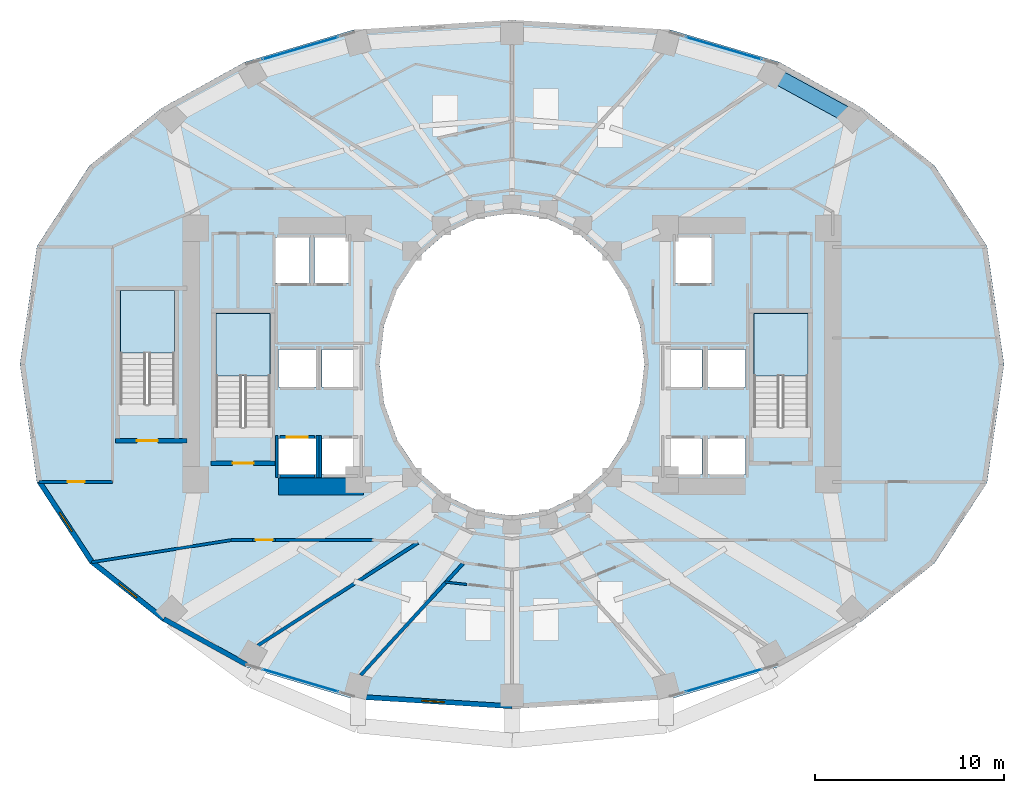
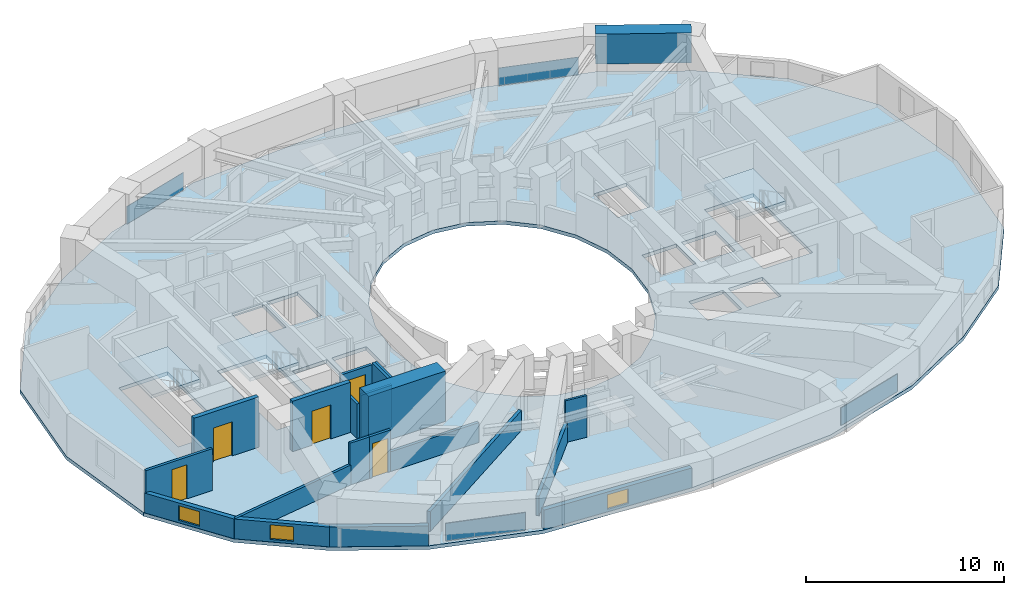
# One storey, part 9 of 17: 20 walls, 5 doors, 4 plates, 4 slabs, 3 windows, 1 beam, 8 openings, 7 elements without a shape of their own.
"""IFC4 building model written with IfcOpenShell, lengths in metres."""

from ifc_helpers import new_model, si_unit, direction, frame, frame_2d, origin, origin_2d, place, context, subcontext, project, spatial, polyline, rectangle, outline, extrude, material, layer, layer_set, material_profile, profile_set, type_object, element, fill, aggregate, save


model = new_model("IFC4")

# Units and contexts
model_context = context("Model", 3, precision=1e-05, world=origin(), true_north=direction((0.0, 1.0)))
body_context = subcontext(model_context, "Body", "Model", "MODEL_VIEW")
ifc_project = project(units=[si_unit("LENGTHUNIT", "METRE"), si_unit("AREAUNIT", "SQUARE_METRE"), si_unit("VOLUMEUNIT", "CUBIC_METRE"), si_unit("PLANEANGLEUNIT", "RADIAN"), si_unit("MASSUNIT", "GRAM", prefix="KILO")], contexts=[model_context])

# Site, building, storey
site_placement = place(None, origin())
site = spatial("IfcSite", under=ifc_project, at=site_placement, CompositionType="ELEMENT")
building_placement = place(site_placement, origin())
building = spatial("IfcBuilding", under=site, at=building_placement, Name="Solvane Sanctuary Tower", CompositionType="ELEMENT")
storey_placement = place(building_placement, frame((0.0, 0.0, 52.39990234375)))
storey = spatial("IfcBuildingStorey", under=building, at=storey_placement, Name="L15", CompositionType="ELEMENT", Elevation=52.39990234375)

# Beam
ifc_material_1 = material(Name="Concrete C70/85", Category="concrete")
ifc_material_profile = material_profile(ifc_material_1, rectangle(XDim=0.800048828125, YDim=1.85009765625, at=origin_2d()), Name="RC800X1850")
ifc_profile_set = profile_set([ifc_material_profile], Name="Concrete C70/85")
beam_type = type_object("IfcBeamType", Name="Beam B-XFER-BLK RC800X1850", PredefinedType="BEAM", material=ifc_profile_set)
beam_placement = place(storey_placement, frame((45.727294921875, 38.359375, 2.175048828125), z_axis=(0.878074180076, -0.478524538853, 0.0), x_axis=(0.478524538853, 0.878074180076, 0.0)))
element("IfcBeam", 1, at=beam_placement, inside=storey, type_object=beam_type, Name="L15 Perimeter Step Transfer Ring NTC02-NTC01", PredefinedType="BEAM", context=body_context, shape_type="SweptSolid", body=[
    extrude(rectangle(XDim=0.800048828125, YDim=1.85009765625, at=origin_2d()), origin(), (0.0, 0.0, 1.0), 4.8564453125),
])

# Curtain wall, plate
ifc_material_2 = material(Name="Anodised Aluminium 6063-T6", Category="aluminium")
ifc_layer_1 = layer(ifc_material_2, 0.169921875, Name="Anodised Aluminium 6063-T6")
ifc_layer_set_1 = layer_set([ifc_layer_1], Name="Anodised Aluminium 6063-T6")
curtain_wall_type = type_object("IfcCurtainWallType", Name="Curtain Wall CW-FRIT-Z1", PredefinedType="NOTDEFINED", material=ifc_layer_set_1)
curtain_wall_1_placement = place(storey_placement, origin())
curtain_wall_1 = element("IfcCurtainWall", 2, at=curtain_wall_1_placement, inside=storey, type_object=curtain_wall_type, Name="L15 CW-FRIT-Z1 Facade Run 04", PredefinedType="NOTDEFINED")
ifc_material_3 = material(Name="Dark Ceramic-Fritted Low-E Glass", Category="glass")
ifc_layer_2 = layer(ifc_material_3, 0.031982421875, Name="Dark Ceramic-Fritted Low-E Glass")
ifc_layer_set_2 = layer_set([ifc_layer_2], Name="Dark Ceramic-Fritted Low-E Glass")
plate_type = type_object("IfcPlateType", Name="Plate PN-FRIT-VIS", PredefinedType="CURTAIN_PANEL", material=ifc_layer_set_2)
plate_1_placement = place(storey_placement, frame((43.18701171875, 39.70751953125, 0.06494140625), z_axis=(0.0, 0.0, 1.0), x_axis=(-0.958843218866, 0.283936052018, 0.0)))
plate_1 = element("IfcPlate", 3, at=plate_1_placement, type_object=plate_type, Name="CW-FRIT-Z1 panel 1.1", PredefinedType="CURTAIN_PANEL", context=body_context, shape_type="SweptSolid", body=[
    extrude(rectangle(XDim=4.16552734375, YDim=0.031982421875, at=origin_2d()), origin(), (0.0, 0.0, 1.0), 1.090087890625),
])
aggregate(curtain_wall_1, [plate_1])

curtain_wall_2_placement = place(storey_placement, origin())
curtain_wall_2 = element("IfcCurtainWall", 4, at=curtain_wall_2_placement, inside=storey, type_object=curtain_wall_type, Name="L15 CW-FRIT-Z1 Facade Run 07", PredefinedType="NOTDEFINED")
plate_2_placement = place(storey_placement, frame((20.81298828125, 39.70751953125, 0.06494140625), z_axis=(0.0, 0.0, 1.0), x_axis=(-0.958843218866, -0.283936052018, 0.0)))
plate_2 = element("IfcPlate", 5, at=plate_2_placement, type_object=plate_type, Name="CW-FRIT-Z1 panel 1.1", PredefinedType="CURTAIN_PANEL", context=body_context, shape_type="SweptSolid", body=[
    extrude(rectangle(XDim=4.16552734375, YDim=0.031982421875, at=origin_2d()), origin(), (0.0, 0.0, 1.0), 1.090087890625),
])
aggregate(curtain_wall_2, [plate_2])

curtain_wall_3_placement = place(storey_placement, origin())
curtain_wall_3 = element("IfcCurtainWall", 6, at=curtain_wall_3_placement, inside=storey, type_object=curtain_wall_type, Name="L15 CW-FRIT-Z1 Facade Run 16", PredefinedType="NOTDEFINED")
plate_3_placement = place(storey_placement, frame((20.81298828125, 6.29248046875, 0.06494140625), z_axis=(0.0, 0.0, 1.0), x_axis=(0.958843218866, -0.283936052018, 0.0)))
plate_3 = element("IfcPlate", 7, at=plate_3_placement, type_object=plate_type, Name="CW-FRIT-Z1 panel 1.1", PredefinedType="CURTAIN_PANEL", context=body_context, shape_type="SweptSolid", body=[
    extrude(rectangle(XDim=4.16552734375, YDim=0.031982421875, at=origin_2d()), origin(), (0.0, 0.0, 1.0), 1.090087890625),
])
aggregate(curtain_wall_3, [plate_3])

curtain_wall_4_placement = place(storey_placement, origin())
curtain_wall_4 = element("IfcCurtainWall", 8, at=curtain_wall_4_placement, inside=storey, type_object=curtain_wall_type, Name="L15 CW-FRIT-Z1 Facade Run 19", PredefinedType="NOTDEFINED")
plate_4_placement = place(storey_placement, frame((43.18701171875, 6.29248046875, 0.06494140625), z_axis=(0.0, 0.0, 1.0), x_axis=(0.958843218866, 0.283936052018, 0.0)))
plate_4 = element("IfcPlate", 9, at=plate_4_placement, type_object=plate_type, Name="CW-FRIT-Z1 panel 1.1", PredefinedType="CURTAIN_PANEL", context=body_context, shape_type="SweptSolid", body=[
    extrude(rectangle(XDim=4.16552734375, YDim=0.031982421875, at=origin_2d()), origin(), (0.0, 0.0, 1.0), 1.090087890625),
])
aggregate(curtain_wall_4, [plate_4])

# Stair, slab
ifc_material_4 = material(Name="Concrete C45/55", Category="concrete")
stair_type = type_object("IfcStairType", Name="Stair ST-TOW", PredefinedType="HALF_TURN_STAIR", material=ifc_material_4)
stair_1_placement = place(storey_placement, origin())
stair_1 = element("IfcStair", 10, at=stair_1_placement, inside=storey, type_object=stair_type, Name="L15 Exit Stair ST-1 West Core", PredefinedType="HALF_TURN_STAIR")
ifc_layer_3 = layer(ifc_material_4, 0.199951171875, Name="Concrete C45/55")
ifc_layer_set_3 = layer_set([ifc_layer_3], Name="Concrete C45/55")
slab_type_1 = type_object("IfcSlabType", Name="Slab SL-LAND-180", PredefinedType="LANDING", material=ifc_layer_set_3)
slab_1_placement = place(storey_placement, frame((0.0, 0.0, 1.35009765625)))
slab_1 = element("IfcSlab", 11, at=slab_1_placement, type_object=slab_type_1, Name="ST-1 landing 1", PredefinedType="LANDING", context=body_context, shape_type="SweptSolid", body=[
    extrude(outline(polyline([(19.219970703125, 22.39990234375), (19.219970703125, 25.699951171875), (16.360107421875, 25.699951171875), (16.360107421875, 22.39990234375), (19.219970703125, 22.39990234375)])), origin(), (0.0, 0.0, 1.0), 0.199951171875),
])
aggregate(stair_1, [slab_1])

stair_2_placement = place(storey_placement, origin())
stair_2 = element("IfcStair", 12, at=stair_2_placement, inside=storey, type_object=stair_type, Name="L15 Exit Stair ST-2 East Core", PredefinedType="HALF_TURN_STAIR")
slab_2_placement = place(storey_placement, frame((0.0, 0.0, 1.35009765625)))
slab_2 = element("IfcSlab", 13, at=slab_2_placement, type_object=slab_type_1, Name="ST-2 landing 1", PredefinedType="LANDING", context=body_context, shape_type="SweptSolid", body=[
    extrude(outline(polyline([(47.639892578125, 22.39990234375), (47.639892578125, 25.699951171875), (44.780029296875, 25.699951171875), (44.780029296875, 22.39990234375), (47.639892578125, 22.39990234375)])), origin(), (0.0, 0.0, 1.0), 0.199951171875),
])
aggregate(stair_2, [slab_2])

stair_3_placement = place(storey_placement, origin())
stair_3 = element("IfcStair", 14, at=stair_3_placement, inside=storey, type_object=stair_type, Name="L15 Exit Stair ST-3 Pilgrim Tower Stair", PredefinedType="HALF_TURN_STAIR")
slab_3_placement = place(storey_placement, frame((0.0, 0.0, 1.35009765625)))
slab_3 = element("IfcSlab", 15, at=slab_3_placement, type_object=slab_type_1, Name="ST-3 landing 1", PredefinedType="LANDING", context=body_context, shape_type="SweptSolid", body=[
    extrude(outline(polyline([(14.159912109375, 23.60009765625), (14.159912109375, 26.89990234375), (11.300048828125, 26.89990234375), (11.300048828125, 23.60009765625), (14.159912109375, 23.60009765625)])), origin(), (0.0, 0.0, 1.0), 0.199951171875),
])
aggregate(stair_3, [slab_3])

# Slab
ifc_layer_4 = layer(ifc_material_4, 0.219970703125, Name="Concrete C45/55")
ifc_layer_set_4 = layer_set([ifc_layer_4], Name="Concrete C45/55")
slab_type_2 = type_object("IfcSlabType", Name="Slab SL-TOW-220", PredefinedType="FLOOR", material=ifc_layer_set_4)
slab_4_placement = place(storey_placement, frame((0.0, 0.0, -0.219970703125)))
element("IfcSlab", 16, at=slab_4_placement, inside=storey, type_object=slab_type_2, Name="L15 Primary Structural Slab", PredefinedType="FLOOR", context=body_context, shape_type="SweptSolid", body=[
    extrude(outline(polyline([(58.0, 23.0), (57.101806640625, 29.25048828125), (54.31396484375, 33.516845703125), (50.504150390625, 36.547607421875), (46.1181640625, 38.977294921875), (40.376708984375, 40.6806640625), (32.0, 41.199951171875), (23.623291015625, 40.6806640625), (17.8818359375, 38.977294921875), (13.495849609375, 36.547607421875), (9.68603515625, 33.516845703125), (6.898193359375, 29.25048828125), (6.0, 23.0), (6.898193359375, 16.74951171875), (9.68603515625, 12.483154296875), (13.495849609375, 9.452392578125), (17.8818359375, 7.022705078125), (23.623291015625, 5.3193359375), (32.0, 4.800048828125), (40.376708984375, 5.3193359375), (46.1181640625, 7.022705078125), (50.504150390625, 9.452392578125), (54.31396484375, 12.483154296875), (57.101806640625, 16.74951171875), (58.0, 23.0)]), holes=[polyline([(38.761474609375, 20.929443359375), (38.062255859375, 19.0), (36.94970703125, 17.343017578125), (35.5, 16.07177734375), (33.811767578125, 15.272705078125), (32.0, 15.0), (30.188232421875, 15.272705078125), (28.5, 16.07177734375), (27.05029296875, 17.343017578125), (25.937744140625, 19.0), (25.238525390625, 20.929443359375), (25.0, 23.0), (25.238525390625, 25.070556640625), (25.937744140625, 27.0), (27.05029296875, 28.656982421875), (28.5, 29.92822265625), (30.188232421875, 30.727294921875), (32.0, 31.0), (33.811767578125, 30.727294921875), (35.5, 29.92822265625), (36.94970703125, 28.656982421875), (38.062255859375, 27.0), (38.761474609375, 25.070556640625), (39.0, 23.0), (38.761474609375, 20.929443359375)]), polyline([(16.360107421875, 19.699951171875), (16.360107421875, 25.699951171875), (19.219970703125, 25.699951171875), (19.219970703125, 19.699951171875), (16.360107421875, 19.699951171875)]), polyline([(44.780029296875, 19.699951171875), (44.780029296875, 25.699951171875), (47.639892578125, 25.699951171875), (47.639892578125, 19.699951171875), (44.780029296875, 19.699951171875)]), polyline([(11.300048828125, 20.89990234375), (11.300048828125, 26.89990234375), (14.159912109375, 26.89990234375), (14.159912109375, 20.89990234375), (11.300048828125, 20.89990234375)]), polyline([(19.64990234375, 19.080078125), (21.64990234375, 19.080078125), (21.64990234375, 17.179931640625), (19.64990234375, 17.179931640625), (19.64990234375, 19.080078125)]), polyline([(21.949951171875, 19.080078125), (23.949951171875, 19.080078125), (23.949951171875, 17.179931640625), (21.949951171875, 17.179931640625), (21.949951171875, 19.080078125)]), polyline([(40.050048828125, 19.080078125), (42.050048828125, 19.080078125), (42.050048828125, 17.179931640625), (40.050048828125, 17.179931640625), (40.050048828125, 19.080078125)]), polyline([(42.35009765625, 19.080078125), (44.35009765625, 19.080078125), (44.35009765625, 17.179931640625), (42.35009765625, 17.179931640625), (42.35009765625, 19.080078125)]), polyline([(19.64990234375, 23.800048828125), (21.64990234375, 23.800048828125), (21.64990234375, 21.800048828125), (19.64990234375, 21.800048828125), (19.64990234375, 23.800048828125)]), polyline([(42.35009765625, 23.800048828125), (44.35009765625, 23.800048828125), (44.35009765625, 21.800048828125), (42.35009765625, 21.800048828125), (42.35009765625, 23.800048828125)]), polyline([(21.949951171875, 23.800048828125), (23.949951171875, 23.800048828125), (23.949951171875, 21.800048828125), (21.949951171875, 21.800048828125), (21.949951171875, 23.800048828125)]), polyline([(40.050048828125, 23.800048828125), (42.050048828125, 23.800048828125), (42.050048828125, 21.800048828125), (40.050048828125, 21.800048828125), (40.050048828125, 23.800048828125)]), polyline([(19.5, 29.699951171875), (21.300048828125, 29.699951171875), (21.300048828125, 27.300048828125), (19.5, 27.300048828125), (19.5, 29.699951171875)]), polyline([(21.550048828125, 29.699951171875), (23.35009765625, 29.699951171875), (23.35009765625, 27.300048828125), (21.550048828125, 27.300048828125), (21.550048828125, 29.699951171875)]), polyline([(40.64990234375, 29.699951171875), (42.550048828125, 29.699951171875), (42.550048828125, 27.300048828125), (40.64990234375, 27.300048828125), (40.64990234375, 29.699951171875)])]), origin(), (0.0, 0.0, 1.0), 0.219970703125),
])

# Wall
ifc_layer_5 = layer(ifc_material_1, 0.89990234375, Name="Concrete C70/85")
ifc_layer_set_5 = layer_set([ifc_layer_5], Name="Concrete C70/85")
wall_type_1 = type_object("IfcWallType", Name="Wall W-CORE-900", PredefinedType="SHEAR", material=ifc_layer_set_5)
wall_1_placement = place(storey_placement, frame((19.64990234375, 16.550048828125, 0.0), z_axis=(0.0, 0.0, 1.0), x_axis=(1.0, 0.0, 0.0)))
element("IfcWall", 17, at=wall_1_placement, inside=storey, type_object=wall_type_1, Name="L15 Core Shear Wall WC-S", PredefinedType="SHEAR", context=body_context, shape_type="SweptSolid", body=[
    extrude(rectangle(XDim=4.5, YDim=0.89990234375, at=frame_2d((2.25, 0.0))), origin(), (0.0, 0.0, 1.0), 3.10009765625),
])

# Wall, opening, door
ifc_material_5 = material(Name="Acoustic Gypsum Partition Board")
ifc_layer_6 = layer(ifc_material_5, 0.14990234375, Name="Acoustic Gypsum Partition Board")
ifc_layer_set_6 = layer_set([ifc_layer_6], Name="Acoustic Gypsum Partition Board")
wall_type_2 = type_object("IfcWallType", Name="Wall W-CORR-150", PredefinedType="PARTITIONING", material=ifc_layer_set_6)
wall_2_placement = place(storey_placement, frame((7.013671875, 16.788330078125, 0.0), z_axis=(0.0, 0.0, 1.0), x_axis=(1.0, 0.0, 0.0)))
wall_2 = element("IfcWall", 18, at=wall_2_placement, inside=storey, type_object=wall_type_2, Name="L15 West Shoulder South Wall", PredefinedType="PARTITIONING", context=body_context, shape_type="SweptSolid", body=[
    extrude(rectangle(XDim=3.8662109375, YDim=0.14990234375, at=frame_2d((1.93310546875, 0.0))), origin(), (0.0, 0.0, 1.0), 2.5751953125),
])
opening_1_placement = place(wall_2_placement, frame((1.503173828125, 0.0, 0.0)))
opening_1 = element("IfcOpeningElement", 19, at=opening_1_placement, cuts=wall_2, Name="Opening D-L15-12", PredefinedType="OPENING", context=body_context, shape_type="SweptSolid", body=[
    extrude(rectangle(XDim=0.89990234375, YDim=2.10009765625, at=frame_2d((0.449951171875, 1.050048828125))), frame((0.0, 0.0849609375, 0.0), z_axis=(0.0, -1.0, 0.0), x_axis=(1.0, 0.0, 0.0)), (0.0, 0.0, 1.0), 0.169921875),
])
ifc_material_6 = material(Name="Engineered Tropical Hardwood", Category="wood")
door_type_1 = type_object("IfcDoorType", Name="Door D-WET-900", OperationType="NOTDEFINED", PredefinedType="DOOR", material=ifc_material_6)
door_1_placement = place(opening_1_placement, origin())
door_1 = element("IfcDoor", 20, at=door_1_placement, inside=storey, type_object=door_type_1, Name="L15 West Shoulder South Door", OperationType="SINGLE_SWING_LEFT", OverallHeight=2.10009765625, OverallWidth=0.89990234375, PredefinedType="DOOR", context=body_context, shape_type="SweptSolid", body=[
    extrude(rectangle(XDim=0.89990234375, YDim=2.10009765625, at=frame_2d((0.449951171875, 1.050048828125))), frame((0.0, 0.02490234375, 0.0), z_axis=(0.0, -1.0, 0.0), x_axis=(1.0, 0.0, 0.0)), (0.0, 0.0, 1.0), 0.050048828125),
])
fill(opening_1, door_1)

# Wall
wall_3_placement = place(storey_placement, frame((17.14990234375, 13.719970703125, 0.0), z_axis=(0.0, 0.0, 1.0), x_axis=(1.0, 0.0, 0.0)))
element("IfcWall", 21, at=wall_3_placement, inside=storey, type_object=wall_type_2, Name="L15 SW Corner Corridor Wall", PredefinedType="PARTITIONING", context=body_context, shape_type="SweptSolid", body=[
    extrude(rectangle(XDim=1.14013671875, YDim=0.14990234375, at=frame_2d((0.570068359375, 0.0))), origin(), (0.0, 0.0, 1.0), 2.5751953125),
])

# Wall, opening, door
wall_4_placement = place(storey_placement, frame((18.2900390625, 13.719970703125, 0.0), z_axis=(0.0, 0.0, 1.0), x_axis=(1.0, 0.0, 0.0)))
wall_4 = element("IfcWall", 22, at=wall_4_placement, inside=storey, type_object=wall_type_2, Name="L15 SW Corner Corridor Wall", PredefinedType="PARTITIONING", context=body_context, shape_type="SweptSolid", body=[
    extrude(rectangle(XDim=1.219970703125, YDim=0.14990234375, at=frame_2d((0.60986328125, 0.0))), origin(), (0.0, 0.0, 1.0), 2.5751953125),
])
opening_2_placement = place(wall_4_placement, frame((0.159912109375, 0.0, 0.0)))
opening_2 = element("IfcOpeningElement", 23, at=opening_2_placement, cuts=wall_4, Name="Opening D-L15-17", PredefinedType="OPENING", context=body_context, shape_type="SweptSolid", body=[
    extrude(rectangle(XDim=0.89990234375, YDim=2.10009765625, at=frame_2d((0.449951171875, 1.050048828125))), frame((0.0, 0.0849609375, 0.0), z_axis=(0.0, -1.0, 0.0), x_axis=(1.0, 0.0, 0.0)), (0.0, 0.0, 1.0), 0.169921875),
])
door_2_placement = place(opening_2_placement, origin())
door_2 = element("IfcDoor", 24, at=door_2_placement, inside=storey, type_object=door_type_1, Name="L15 SW Corner Salon Door", OperationType="SINGLE_SWING_RIGHT", OverallHeight=2.10009765625, OverallWidth=0.89990234375, PredefinedType="DOOR", context=body_context, shape_type="SweptSolid", body=[
    extrude(rectangle(XDim=0.89990234375, YDim=2.10009765625, at=frame_2d((0.449951171875, 1.050048828125))), frame((0.0, 0.02490234375, 0.0), z_axis=(0.0, -1.0, 0.0), x_axis=(1.0, 0.0, 0.0)), (0.0, 0.0, 1.0), 0.050048828125),
])
fill(opening_2, door_2)

# Walls
wall_5_placement = place(storey_placement, frame((19.510009765625, 13.719970703125, 0.0), z_axis=(0.0, 0.0, 1.0), x_axis=(1.0, 0.0, 0.0)))
element("IfcWall", 25, at=wall_5_placement, inside=storey, type_object=wall_type_2, Name="L15 SW Corner Corridor Wall", PredefinedType="PARTITIONING", context=body_context, shape_type="SweptSolid", body=[
    extrude(rectangle(XDim=5.159912109375, YDim=0.14990234375, at=frame_2d((2.580078125, 0.0))), origin(), (0.0, 0.0, 1.0), 1.22021484375),
])
wall_6_placement = place(storey_placement, frame((17.24951171875, 13.727783203125, 0.0), z_axis=(0.0, 0.0, 1.0), x_axis=(-0.987655781226, -0.156639898525, 0.0)))
element("IfcWall", 26, at=wall_6_placement, inside=storey, type_object=wall_type_2, Name="L15 SW Corner Wing Wall", PredefinedType="PARTITIONING", context=body_context, shape_type="SweptSolid", body=[
    extrude(rectangle(XDim=7.551513671875, YDim=0.14990234375, at=frame_2d((3.77587890625, 0.0))), origin(), (0.0, 0.0, 1.0), 1.22021484375),
])

# Wall, opening, window
ifc_material_7 = material(Name="Precast concrete C40/50", Category="concrete")
ifc_layer_7 = layer(ifc_material_7, 0.260009765625, Name="Precast concrete C40/50")
ifc_layer_set_7 = layer_set([ifc_layer_7], Name="Precast concrete C40/50")
wall_type_3 = type_object("IfcWallType", Name="Wall W-EXT-250", PredefinedType="STANDARD", material=ifc_layer_set_7)
wall_7_placement = place(storey_placement, frame((7.033447265625, 16.794677734375, 0.0), z_axis=(0.0, 0.0, 1.0), x_axis=(0.547702757047, -0.836672988642, 0.0)))
wall_7 = element("IfcWall", 27, at=wall_7_placement, inside=storey, type_object=wall_type_3, Name="L15 Ceramic-Printed Facade Wall 13", PredefinedType="STANDARD", context=body_context, shape_type="SweptSolid", body=[
    extrude(rectangle(XDim=5.0625, YDim=0.260009765625, at=frame_2d((2.53125, 0.0))), origin(), (0.0, 0.0, 1.0), 1.22021484375),
])
opening_3_placement = place(wall_7_placement, frame((1.931396484375, 0.0, 0.14990234375)))
opening_3 = element("IfcOpeningElement", 28, at=opening_3_placement, cuts=wall_7, Name="Opening WN-OPER-1200", PredefinedType="OPENING", context=body_context, shape_type="SweptSolid", body=[
    extrude(rectangle(XDim=1.199951171875, YDim=0.89990234375, at=frame_2d((0.60009765625, 0.449951171875))), frame((0.0, 0.139892578125, 0.0), z_axis=(0.0, -1.0, 0.0), x_axis=(1.0, 0.0, 0.0)), (0.0, 0.0, 1.0), 0.280029296875),
])
window_type = type_object("IfcWindowType", Name="Window WN-OPER-1200", PartitioningType="SINGLE_PANEL", PredefinedType="WINDOW", material=ifc_material_3)
window_1_placement = place(opening_3_placement, origin())
window_1 = element("IfcWindow", 29, at=window_1_placement, inside=storey, type_object=window_type, Name="L15 Operable Facade Window 13", OverallHeight=0.89990234375, OverallWidth=1.199951171875, PartitioningType="SINGLE_PANEL", PredefinedType="WINDOW", context=body_context, shape_type="SweptSolid", body=[
    extrude(rectangle(XDim=1.199951171875, YDim=0.89990234375, at=frame_2d((0.60009765625, 0.449951171875))), frame((0.0, 0.030029296875, 0.0), z_axis=(0.0, -1.0, 0.0), x_axis=(1.0, 0.0, 0.0)), (0.0, 0.0, 1.0), 0.06005859375),
])
fill(opening_3, window_1)

wall_8_placement = place(storey_placement, frame((9.80615234375, 12.55908203125, 0.0), z_axis=(0.0, 0.0, 1.0), x_axis=(0.783123133379, -0.621866672179, 0.0)))
wall_8 = element("IfcWall", 30, at=wall_8_placement, inside=storey, type_object=wall_type_3, Name="L15 Ceramic-Printed Facade Wall 14", PredefinedType="STANDARD", context=body_context, shape_type="SweptSolid", body=[
    extrude(rectangle(XDim=4.838623046875, YDim=0.260009765625, at=frame_2d((2.41943359375, 0.0))), origin(), (0.0, 0.0, 1.0), 1.22021484375),
])
opening_4_placement = place(wall_8_placement, frame((1.8193359375, 0.0, 0.14990234375)))
opening_4 = element("IfcOpeningElement", 31, at=opening_4_placement, cuts=wall_8, Name="Opening WN-OPER-1200", PredefinedType="OPENING", context=body_context, shape_type="SweptSolid", body=[
    extrude(rectangle(XDim=1.199951171875, YDim=0.89990234375, at=frame_2d((0.60009765625, 0.449951171875))), frame((0.0, 0.139892578125, 0.0), z_axis=(0.0, -1.0, 0.0), x_axis=(1.0, 0.0, 0.0)), (0.0, 0.0, 1.0), 0.280029296875),
])
window_2_placement = place(opening_4_placement, origin())
window_2 = element("IfcWindow", 32, at=window_2_placement, inside=storey, type_object=window_type, Name="L15 Operable Facade Window 14", OverallHeight=0.89990234375, OverallWidth=1.199951171875, PartitioningType="SINGLE_PANEL", PredefinedType="WINDOW", context=body_context, shape_type="SweptSolid", body=[
    extrude(rectangle(XDim=1.199951171875, YDim=0.89990234375, at=frame_2d((0.60009765625, 0.449951171875))), frame((0.0, 0.030029296875, 0.0), z_axis=(0.0, -1.0, 0.0), x_axis=(1.0, 0.0, 0.0)), (0.0, 0.0, 1.0), 0.06005859375),
])
fill(opening_4, window_2)

# Wall
wall_9_placement = place(storey_placement, frame((13.595458984375, 9.550048828125, 0.0), z_axis=(0.0, 0.0, 1.0), x_axis=(0.875137303239, -0.483874674352, 0.0)))
element("IfcWall", 33, at=wall_9_placement, inside=storey, type_object=wall_type_3, Name="L15 Ceramic-Printed Facade Wall 15", PredefinedType="STANDARD", context=body_context, shape_type="SweptSolid", body=[
    extrude(rectangle(XDim=4.985107421875, YDim=0.260009765625, at=frame_2d((2.49267578125, 0.0))), origin(), (0.0, 0.0, 1.0), 1.22021484375),
])

# Wall, opening, window
wall_10_placement = place(storey_placement, frame((23.668212890625, 5.447021484375, 0.0), z_axis=(0.0, 0.0, 1.0), x_axis=(0.998090514779, -0.061768311519, 0.0)))
wall_10 = element("IfcWall", 34, at=wall_10_placement, inside=storey, type_object=wall_type_3, Name="L15 Ceramic-Printed Facade Wall 17", PredefinedType="STANDARD", context=body_context, shape_type="SweptSolid", body=[
    extrude(rectangle(XDim=8.34765625, YDim=0.260009765625, at=frame_2d((4.173828125, 0.0))), origin(), (0.0, 0.0, 1.0), 1.22021484375),
])
opening_5_placement = place(wall_10_placement, frame((3.57373046875, 0.0, 0.14990234375)))
opening_5 = element("IfcOpeningElement", 35, at=opening_5_placement, cuts=wall_10, Name="Opening WN-OPER-1200", PredefinedType="OPENING", context=body_context, shape_type="SweptSolid", body=[
    extrude(rectangle(XDim=1.199951171875, YDim=0.89990234375, at=frame_2d((0.60009765625, 0.449951171875))), frame((0.0, 0.139892578125, 0.0), z_axis=(0.0, -1.0, 0.0), x_axis=(1.0, 0.0, 0.0)), (0.0, 0.0, 1.0), 0.280029296875),
])
window_3_placement = place(opening_5_placement, origin())
window_3 = element("IfcWindow", 36, at=window_3_placement, inside=storey, type_object=window_type, Name="L15 Operable Facade Window 17", OverallHeight=0.89990234375, OverallWidth=1.199951171875, PartitioningType="SINGLE_PANEL", PredefinedType="WINDOW", context=body_context, shape_type="SweptSolid", body=[
    extrude(rectangle(XDim=1.199951171875, YDim=0.89990234375, at=frame_2d((0.60009765625, 0.449951171875))), frame((0.0, 0.030029296875, 0.0), z_axis=(0.0, -1.0, 0.0), x_axis=(1.0, 0.0, 0.0)), (0.0, 0.0, 1.0), 0.06005859375),
])
fill(opening_5, window_3)

# Wall
ifc_layer_8 = layer(ifc_material_5, 0.1201171875, Name="Acoustic Gypsum Partition Board")
ifc_layer_set_8 = layer_set([ifc_layer_8], Name="Acoustic Gypsum Partition Board")
wall_type_4 = type_object("IfcWallType", Name="Wall W-MOV-100", PredefinedType="MOVABLE", material=ifc_layer_set_8)
wall_11_placement = place(storey_placement, frame((28.459716796875, 11.497802734375, 0.0), z_axis=(0.0, 0.0, 1.0), x_axis=(0.993876104587, -0.110500175253, 0.0)))
element("IfcWall", 37, at=wall_11_placement, inside=storey, type_object=wall_type_4, Name="L15 Suite Sitting Lounge Partition S2", PredefinedType="MOVABLE", context=body_context, shape_type="SweptSolid", body=[
    extrude(rectangle(XDim=1.1708984375, YDim=0.1201171875, at=frame_2d((0.58544921875, 0.0))), origin(), (0.0, 0.0, 1.0), 2.5751953125),
])

# Wall, opening, door
ifc_material_8 = material(Name="Concrete C50/60", Category="concrete")
ifc_layer_9 = layer(ifc_material_8, 0.14990234375, Name="Concrete C50/60")
ifc_layer_set_9 = layer_set([ifc_layer_9], Name="Concrete C50/60")
wall_type_5 = type_object("IfcWallType", Name="Wall W-SHAFT-150", PredefinedType="SOLIDWALL", material=ifc_layer_set_9)
wall_12_placement = place(storey_placement, frame((19.739990234375, 19.159912109375, 0.0), z_axis=(0.0, 0.0, 1.0), x_axis=(1.0, 0.0, 0.0)))
wall_12 = element("IfcWall", 38, at=wall_12_placement, inside=storey, type_object=wall_type_5, Name="L15 PL-1 Lift Shaft Wall F", PredefinedType="SOLIDWALL", context=body_context, shape_type="SweptSolid", body=[
    extrude(rectangle(XDim=1.820068359375, YDim=0.14990234375, at=frame_2d((0.91015625, 0.0))), origin(), (0.0, 0.0, 1.0), 2.5751953125),
])
opening_6_placement = place(wall_12_placement, frame((0.360107421875, 0.0, 0.0)))
opening_6 = element("IfcOpeningElement", 39, at=opening_6_placement, cuts=wall_12, Name="Opening LD-L15-01", PredefinedType="OPENING", context=body_context, shape_type="SweptSolid", body=[
    extrude(rectangle(XDim=1.10009765625, YDim=2.10009765625, at=frame_2d((0.550048828125, 1.050048828125))), frame((0.0, 0.0849609375, 0.0), z_axis=(0.0, -1.0, 0.0), x_axis=(1.0, 0.0, 0.0)), (0.0, 0.0, 1.0), 0.169921875),
])
ifc_material_9 = material(Name="Architectural Stainless Steel 316", Category="steel")
door_type_2 = type_object("IfcDoorType", Name="Door LD-PASS-1100", OperationType="NOTDEFINED", PredefinedType="DOOR", material=ifc_material_9)
door_3_placement = place(opening_6_placement, origin())
door_3 = element("IfcDoor", 40, at=door_3_placement, inside=storey, type_object=door_type_2, Name="L15 PL-1 Lift Landing Door", OperationType="DOUBLE_DOOR_SLIDING", OverallHeight=2.10009765625, OverallWidth=1.10009765625, PredefinedType="DOOR", context=body_context, shape_type="SweptSolid", body=[
    extrude(rectangle(XDim=1.10009765625, YDim=2.10009765625, at=frame_2d((0.550048828125, 1.050048828125))), frame((0.0, 0.02490234375, 0.0), z_axis=(0.0, -1.0, 0.0), x_axis=(1.0, 0.0, 0.0)), (0.0, 0.0, 1.0), 0.050048828125),
])
fill(opening_6, door_3)

# Walls
wall_13_placement = place(storey_placement, frame((19.739990234375, 17.10009765625, 0.0), z_axis=(0.0, 0.0, 1.0), x_axis=(1.0, 0.0, 0.0)))
element("IfcWall", 41, at=wall_13_placement, inside=storey, type_object=wall_type_5, Name="L15 PL-1 Lift Shaft Wall B", PredefinedType="SOLIDWALL", context=body_context, shape_type="SweptSolid", body=[
    extrude(rectangle(XDim=1.820068359375, YDim=0.14990234375, at=frame_2d((0.91015625, 0.0))), origin(), (0.0, 0.0, 1.0), 2.5751953125),
])
wall_14_placement = place(storey_placement, frame((19.570068359375, 17.02001953125, 0.0), z_axis=(0.0, 0.0, 1.0), x_axis=(0.0, 1.0, 0.0)))
element("IfcWall", 42, at=wall_14_placement, inside=storey, type_object=wall_type_5, Name="L15 PL-1 Lift Shaft Wall S1", PredefinedType="SOLIDWALL", context=body_context, shape_type="SweptSolid", body=[
    extrude(rectangle(XDim=2.219970703125, YDim=0.14990234375, at=frame_2d((1.10986328125, 0.0))), origin(), (0.0, 0.0, 1.0), 2.1201171875),
])
for number, where, z_axis, x_axis, name in (
    (43, (21.72998046875, 17.02001953125, 0.0), (0.0, 0.0, 1.0), (0.0, 1.0, 0.0), "L15 PL-1 Lift Shaft Wall S2"),
    (44, (21.8701171875, 17.02001953125, 0.0), (0.0, 0.0, 1.0), (0.0, 1.0, 0.0), "L15 PL-2 Lift Shaft Wall S1"),
):
    element("IfcWall", number, at=place(storey_placement, frame(where, z_axis=z_axis, x_axis=x_axis)), inside=storey, type_object=wall_type_5, Name=name, PredefinedType="SOLIDWALL", context=body_context, shape_type="SweptSolid", body=[
        extrude(rectangle(XDim=2.219970703125, YDim=0.14990234375, at=frame_2d((1.10986328125, 0.0))), origin(), (0.0, 0.0, 1.0), 2.5751953125),
    ])

# Wall, opening, door
ifc_layer_10 = layer(ifc_material_8, 0.25, Name="Concrete C50/60")
ifc_layer_set_10 = layer_set([ifc_layer_10], Name="Concrete C50/60")
wall_type_6 = type_object("IfcWallType", Name="Wall W-SHAFT-250", PredefinedType="SOLIDWALL", material=ifc_layer_set_10)
wall_15_placement = place(storey_placement, frame((16.10498046875, 17.77001953125, 0.0), z_axis=(0.0, 0.0, 1.0), x_axis=(1.0, 0.0, 0.0)))
wall_15 = element("IfcWall", 45, at=wall_15_placement, inside=storey, type_object=wall_type_6, Name="L15 ST-1 Load-Bearing Shaft Wall S", PredefinedType="SOLIDWALL", context=body_context, shape_type="SweptSolid", body=[
    extrude(rectangle(XDim=3.3701171875, YDim=0.25, at=frame_2d((1.68505859375, 0.0))), origin(), (0.0, 0.0, 1.0), 3.10009765625),
])
opening_7_placement = place(wall_15_placement, frame((1.135009765625, 0.0, 0.0)))
opening_7 = element("IfcOpeningElement", 46, at=opening_7_placement, cuts=wall_15, Name="Opening D-L15-01", PredefinedType="OPENING", context=body_context, shape_type="SweptSolid", body=[
    extrude(rectangle(XDim=1.10009765625, YDim=2.10009765625, at=frame_2d((0.550048828125, 1.050048828125))), frame((0.0, 0.135009765625, 0.0), z_axis=(0.0, -1.0, 0.0), x_axis=(1.0, 0.0, 0.0)), (0.0, 0.0, 1.0), 0.27001953125),
])
door_type_3 = type_object("IfcDoorType", Name="Door D-STAIR", OperationType="NOTDEFINED", PredefinedType="DOOR", material=ifc_material_9)
door_4_placement = place(opening_7_placement, origin())
door_4 = element("IfcDoor", 47, at=door_4_placement, inside=storey, type_object=door_type_3, Name="L15 ST-1 Exit Stair Fire Door", OperationType="SINGLE_SWING_LEFT", OverallHeight=2.10009765625, OverallWidth=1.10009765625, PredefinedType="DOOR", context=body_context, shape_type="SweptSolid", body=[
    extrude(rectangle(XDim=1.10009765625, YDim=2.10009765625, at=frame_2d((0.550048828125, 1.050048828125))), frame((0.0, 0.02490234375, 0.0), z_axis=(0.0, -1.0, 0.0), x_axis=(1.0, 0.0, 0.0)), (0.0, 0.0, 1.0), 0.050048828125),
])
fill(opening_7, door_4)

wall_16_placement = place(storey_placement, frame((11.044921875, 18.969970703125, 0.0), z_axis=(0.0, 0.0, 1.0), x_axis=(1.0, 0.0, 0.0)))
wall_16 = element("IfcWall", 48, at=wall_16_placement, inside=storey, type_object=wall_type_6, Name="L15 ST-3 Load-Bearing Shaft Wall S", PredefinedType="SOLIDWALL", context=body_context, shape_type="SweptSolid", body=[
    extrude(rectangle(XDim=3.781982421875, YDim=0.25, at=frame_2d((1.89111328125, 0.0))), origin(), (0.0, 0.0, 1.0), 3.10009765625),
])
opening_8_placement = place(wall_16_placement, frame((1.135009765625, 0.0, 0.0)))
opening_8 = element("IfcOpeningElement", 49, at=opening_8_placement, cuts=wall_16, Name="Opening D-L15-03", PredefinedType="OPENING", context=body_context, shape_type="SweptSolid", body=[
    extrude(rectangle(XDim=1.10009765625, YDim=2.10009765625, at=frame_2d((0.550048828125, 1.050048828125))), frame((0.0, 0.135009765625, 0.0), z_axis=(0.0, -1.0, 0.0), x_axis=(1.0, 0.0, 0.0)), (0.0, 0.0, 1.0), 0.27001953125),
])
door_5_placement = place(opening_8_placement, origin())
door_5 = element("IfcDoor", 50, at=door_5_placement, inside=storey, type_object=door_type_3, Name="L15 ST-3 Exit Stair Fire Door", OperationType="SINGLE_SWING_LEFT", OverallHeight=2.10009765625, OverallWidth=1.10009765625, PredefinedType="DOOR", context=body_context, shape_type="SweptSolid", body=[
    extrude(rectangle(XDim=1.10009765625, YDim=2.10009765625, at=frame_2d((0.550048828125, 1.050048828125))), frame((0.0, 0.02490234375, 0.0), z_axis=(0.0, -1.0, 0.0), x_axis=(1.0, 0.0, 0.0)), (0.0, 0.0, 1.0), 0.050048828125),
])
fill(opening_8, door_5)

# Walls
ifc_layer_11 = layer(ifc_material_5, 0.179931640625, Name="Acoustic Gypsum Partition Board")
ifc_layer_set_11 = layer_set([ifc_layer_11], Name="Acoustic Gypsum Partition Board")
wall_type_7 = type_object("IfcWallType", Name="Wall W-UNIT-180", PredefinedType="PARTITIONING", material=ifc_layer_set_11)
wall_17_placement = place(storey_placement, frame((27.02880859375, 13.573974609375, 0.0), z_axis=(0.0, 0.0, 1.0), x_axis=(-0.841689919529, -0.5399611832, 0.0)))
element("IfcWall", 51, at=wall_17_placement, inside=storey, type_object=wall_type_7, Name="L15 Radial Compartment Wall 240", PredefinedType="PARTITIONING", context=body_context, shape_type="SweptSolid", body=[
    extrude(rectangle(XDim=10.058349609375, YDim=0.179931640625, at=frame_2d((5.029296875, 0.0))), origin(), (0.0, 0.0, 1.0), 1.22021484375),
])
wall_18_placement = place(storey_placement, frame((29.41357421875, 12.47900390625, 0.0), z_axis=(0.0, 0.0, 1.0), x_axis=(-0.675465011224, -0.737392038615, 0.0)))
element("IfcWall", 52, at=wall_18_placement, inside=storey, type_object=wall_type_7, Name="L15 Radial Compartment Wall 255", PredefinedType="PARTITIONING", context=body_context, shape_type="SweptSolid", body=[
    extrude(rectangle(XDim=8.007080078125, YDim=0.179931640625, at=frame_2d((4.00341796875, 0.0))), origin(), (0.0, 0.0, 1.0), 1.22021484375),
])

save(model, "model.ifc")
